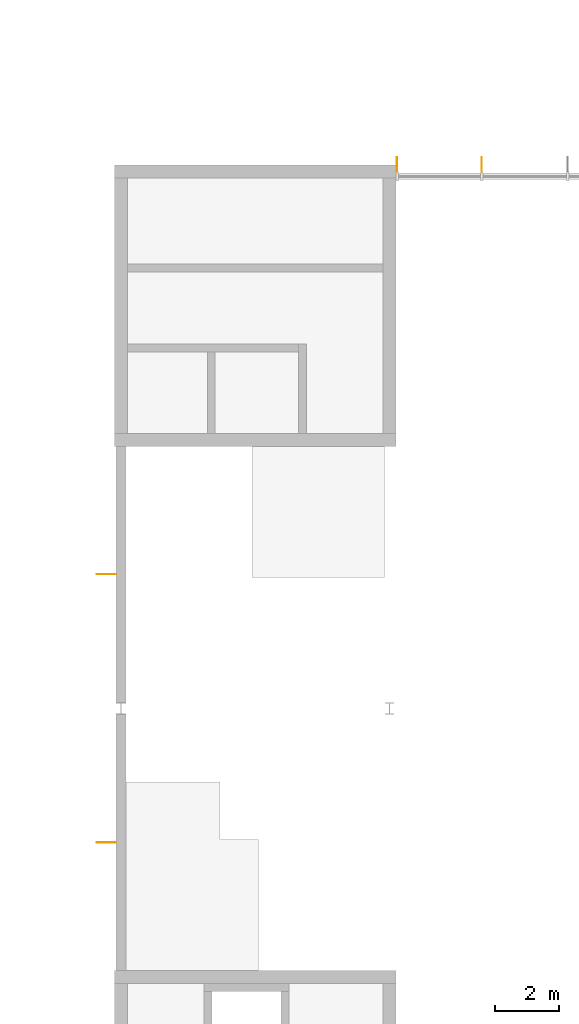
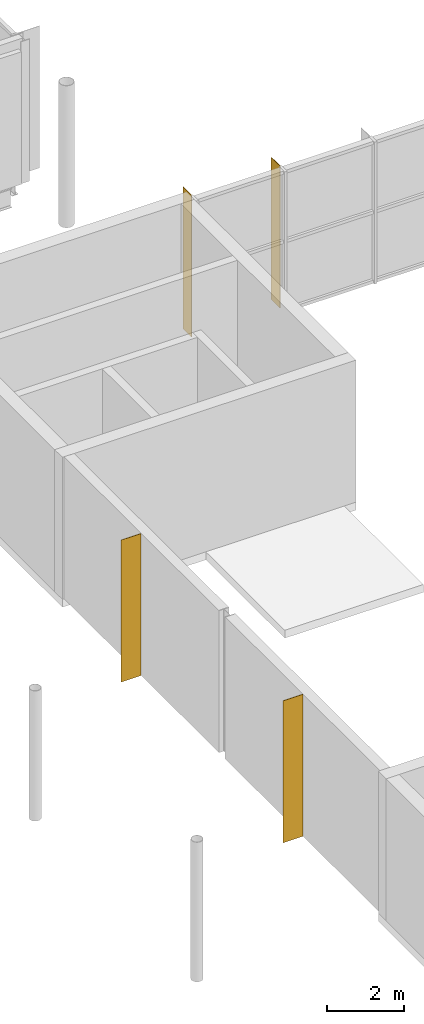
# One storey, part 81 of 89: 4 shading devices.
"""IFC4 building model written with IfcOpenShell, lengths in metres."""

from ifc_helpers import new_model, si_unit, direction, frame, origin, origin_2d, place, context, subcontext, project, spatial, rectangle, extrude, material, layer, layer_set, type_object, element, save


model = new_model("IFC4")

# Units and contexts
model_context = context("Model", 3, precision=1e-05, world=origin(), true_north=direction((0.0, 1.0)))
body_context = subcontext(model_context, "Body", "Model", "MODEL_VIEW")
ifc_project = project(units=[si_unit("LENGTHUNIT", "METRE"), si_unit("AREAUNIT", "SQUARE_METRE"), si_unit("VOLUMEUNIT", "CUBIC_METRE"), si_unit("PLANEANGLEUNIT", "RADIAN"), si_unit("MASSUNIT", "GRAM", prefix="KILO")], contexts=[model_context])

# Site, building, storey
site_placement = place(None, origin())
site = spatial("IfcSite", under=ifc_project, at=site_placement, CompositionType="ELEMENT")
building_placement = place(site_placement, origin())
building = spatial("IfcBuilding", under=site, at=building_placement, Name="Hlaing Beacon Police Headquarters", CompositionType="ELEMENT")
storey_placement = place(building_placement, frame((0.0, 0.0, 9.89990234375)))
storey = spatial("IfcBuildingStorey", under=building, at=storey_placement, Name="L02", CompositionType="ELEMENT", Elevation=9.89990234375)

# Shading devices
ifc_material_1 = material(Name="Aluminium 6063-T5 anodised", Category="aluminium")
ifc_layer_1 = layer(ifc_material_1, 0.011962890625)
ifc_layer_set_1 = layer_set([ifc_layer_1], Name="Aluminium 6063-T5 anodised")
shading_device_type_1 = type_object("IfcShadingDeviceType", Name="Aluminium fin 12x450", PredefinedType="JALOUSIE", material=ifc_layer_set_1)
for number, where, z_axis, x_axis, name in (
    (1, (70.090576171875, 67.425048828125, 0.0), (0.0, 0.0, 1.0), (-1.0, 0.0, 0.0), "Fin L02 N004.2"),
    (2, (67.43994140625, 67.425048828125, 0.0), (0.0, 0.0, 1.0), (-1.0, 0.0, 0.0), "Fin L02 N004.3"),
):
    element("IfcShadingDevice", number, at=place(storey_placement, frame(where, z_axis=z_axis, x_axis=x_axis)), inside=storey, type_object=shading_device_type_1, Name=name, PredefinedType="JALOUSIE", context=body_context, shape_type="SweptSolid", body=[
        extrude(rectangle(XDim=0.011962890625, YDim=0.449951171875, at=origin_2d()), origin(), (0.0, 0.0, 1.0), 4.5),
    ])
ifc_material_2 = material(Name="Aluminium 6063-T5 anodised", Category="aluminium")
ifc_layer_2 = layer(ifc_material_2, 0.011962890625)
ifc_layer_set_2 = layer_set([ifc_layer_2], Name="Aluminium 6063-T5 anodised")
shading_device_type_2 = type_object("IfcShadingDeviceType", Name="Aluminium fin 12x600", PredefinedType="JALOUSIE", material=ifc_layer_set_2)
for number, where, z_axis, x_axis, name in (
    (3, (58.35009765625, 54.60009765625, 0.0), (0.0, 0.0, 1.0), (0.0, -1.0, 0.0), "Fin L02 W001"),
    (4, (58.35009765625, 46.199951171875, 0.0), (0.0, 0.0, 1.0), (0.0, -1.0, 0.0), "Fin L02 W002"),
):
    element("IfcShadingDevice", number, at=place(storey_placement, frame(where, z_axis=z_axis, x_axis=x_axis)), inside=storey, type_object=shading_device_type_2, Name=name, PredefinedType="JALOUSIE", context=body_context, shape_type="SweptSolid", body=[
        extrude(rectangle(XDim=0.011962890625, YDim=0.60009765625, at=origin_2d()), origin(), (0.0, 0.0, 1.0), 4.5),
    ])

save(model, "model.ifc")
